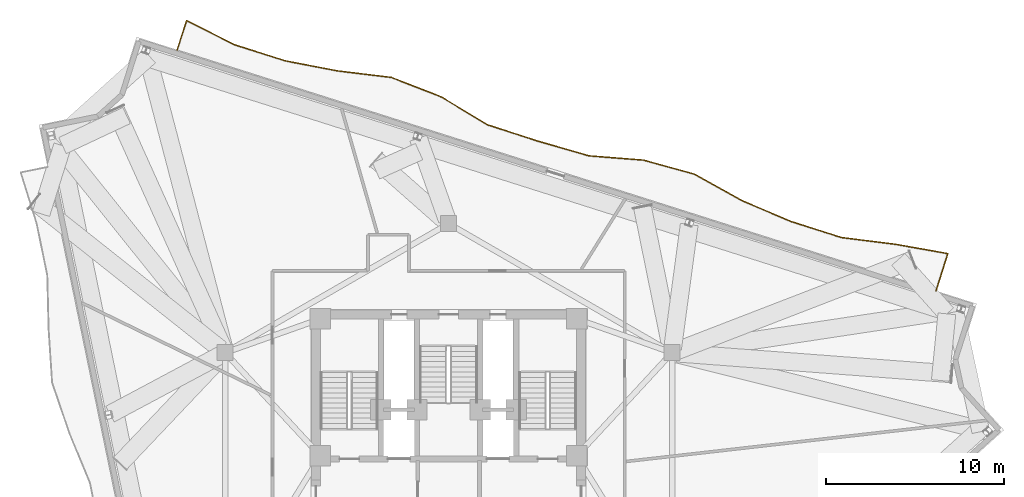
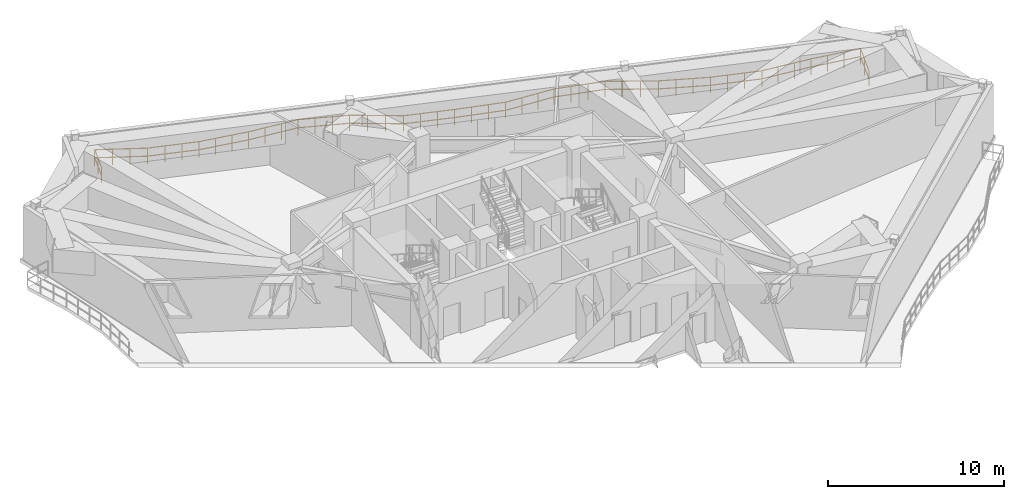
# One storey, part 12 of 12: 1 railing.
"""IFC4 building model written with IfcOpenShell, lengths in metres."""

from ifc_helpers import new_model, si_unit, direction, frame, origin, origin_2d, place, context, subcontext, project, spatial, rectangle, extrude, material, type_object, element, save


model = new_model("IFC4")

# Units and contexts
model_context = context("Model", 3, precision=1e-05, world=origin(), true_north=direction((0.0, 1.0)))
body_context = subcontext(model_context, "Body", "Model", "MODEL_VIEW")
ifc_project = project(units=[si_unit("LENGTHUNIT", "METRE"), si_unit("AREAUNIT", "SQUARE_METRE"), si_unit("VOLUMEUNIT", "CUBIC_METRE"), si_unit("PLANEANGLEUNIT", "RADIAN"), si_unit("MASSUNIT", "GRAM", prefix="KILO")], contexts=[model_context])

# Site, building, storey
site_placement = place(None, origin())
site = spatial("IfcSite", under=ifc_project, at=site_placement, CompositionType="ELEMENT")
building_placement = place(site_placement, origin())
building = spatial("IfcBuilding", under=site, at=building_placement, Name="Apsidion Concourse Tower", CompositionType="ELEMENT")
storey_placement = place(building_placement, frame((0.0, 0.0, 256.800048828125)))
storey = spatial("IfcBuildingStorey", under=building, at=storey_placement, Name="L60", CompositionType="ELEMENT", Elevation=256.800048828125)

# Railing
ifc_material = material(Name="Brushed stainless steel 316", Category="steel")
railing_type = type_object("IfcRailingType", Name="RL-BAL-1120", PredefinedType="BALUSTRADE", material=ifc_material)
railing_placement = place(storey_placement, frame((-15.25, 24.272216796875, 0.0)))
element("IfcRailing", 1, at=railing_placement, inside=storey, type_object=railing_type, Name="L60 Face 3 Rippling Balcony Balustrade", PredefinedType="BALUSTRADE", context=body_context, shape_type="SweptSolid", body=[
    extrude(rectangle(XDim=0.048095703125, YDim=0.048095703125, at=origin_2d()), frame((0.0, 0.0, 1.09619140625), z_axis=(0.302791862722, 0.953056707583, 0.0), x_axis=(-0.953056707583, 0.302791862722, 0.0)), (0.0, 0.0, 1.0), 1.737548828125),
    extrude(rectangle(XDim=0.048095703125, YDim=0.048095703125, at=origin_2d()), frame((0.0, 0.0, 0.5361328125), z_axis=(0.302791862722, 0.953056707583, 0.0), x_axis=(-0.953056707583, 0.302791862722, 0.0)), (0.0, 0.0, 1.0), 1.737548828125),
    extrude(rectangle(XDim=0.048095703125, YDim=0.048095703125, at=origin_2d()), frame((0.526123046875, 1.656005859375, 1.09619140625), z_axis=(0.89176205674, -0.452504623357, 0.0), x_axis=(0.452504623357, 0.89176205674, 0.0)), (0.0, 0.0, 1.0), 3.0224609375),
    extrude(rectangle(XDim=0.048095703125, YDim=0.048095703125, at=origin_2d()), frame((0.526123046875, 1.656005859375, 0.5361328125), z_axis=(0.89176205674, -0.452504623357, 0.0), x_axis=(0.452504623357, 0.89176205674, 0.0)), (0.0, 0.0, 1.0), 3.0224609375),
    extrude(rectangle(XDim=0.048095703125, YDim=0.048095703125, at=origin_2d()), frame((3.221435546875, 0.288330078125, 1.09619140625), z_axis=(0.953104034579, -0.302642857623, 0.0), x_axis=(0.302642857623, 0.953104034579, 0.0)), (0.0, 0.0, 1.0), 2.983154296875),
    extrude(rectangle(XDim=0.048095703125, YDim=0.048095703125, at=origin_2d()), frame((3.221435546875, 0.288330078125, 0.5361328125), z_axis=(0.953104034579, -0.302642857623, 0.0), x_axis=(0.302642857623, 0.953104034579, 0.0)), (0.0, 0.0, 1.0), 2.983154296875),
    extrude(rectangle(XDim=0.048095703125, YDim=0.048095703125, at=origin_2d()), frame((6.064697265625, -0.614501953125, 1.09619140625), z_axis=(0.98198034819, -0.188983056828, 0.0), x_axis=(0.188983056828, 0.98198034819, 0.0)), (0.0, 0.0, 1.0), 3.003662109375),
    extrude(rectangle(XDim=0.048095703125, YDim=0.048095703125, at=origin_2d()), frame((6.064697265625, -0.614501953125, 0.5361328125), z_axis=(0.98198034819, -0.188983056828, 0.0), x_axis=(0.188983056828, 0.98198034819, 0.0)), (0.0, 0.0, 1.0), 3.003662109375),
    extrude(rectangle(XDim=0.048095703125, YDim=0.048095703125, at=origin_2d()), frame((9.01416015625, -1.18212890625, 1.09619140625), z_axis=(0.992767218322, -0.120055196578, 0.0), x_axis=(0.120055196578, 0.992767218322, 0.0)), (0.0, 0.0, 1.0), 3.0361328125),
    extrude(rectangle(XDim=0.048095703125, YDim=0.048095703125, at=origin_2d()), frame((9.01416015625, -1.18212890625, 0.5361328125), z_axis=(0.992767218322, -0.120055196578, 0.0), x_axis=(0.120055196578, 0.992767218322, 0.0)), (0.0, 0.0, 1.0), 3.0361328125),
    extrude(rectangle(XDim=0.048095703125, YDim=0.048095703125, at=origin_2d()), frame((12.0283203125, -1.546630859375, 1.09619140625), z_axis=(0.932021531564, -0.362402903825, 0.0), x_axis=(0.362402903825, 0.932021531564, 0.0)), (0.0, 0.0, 1.0), 2.989013671875),
    extrude(rectangle(XDim=0.048095703125, YDim=0.048095703125, at=origin_2d()), frame((12.0283203125, -1.546630859375, 0.5361328125), z_axis=(0.932021531564, -0.362402903825, 0.0), x_axis=(0.362402903825, 0.932021531564, 0.0)), (0.0, 0.0, 1.0), 2.989013671875),
    extrude(rectangle(XDim=0.048095703125, YDim=0.048095703125, at=origin_2d()), frame((14.814208984375, -2.6298828125, 1.09619140625), z_axis=(0.856726347972, -0.515771232904, 0.0), x_axis=(0.515771232904, 0.856726347972, 0.0)), (0.0, 0.0, 1.0), 3.06689453125),
    extrude(rectangle(XDim=0.048095703125, YDim=0.048095703125, at=origin_2d()), frame((14.814208984375, -2.6298828125, 0.5361328125), z_axis=(0.856726347972, -0.515771232904, 0.0), x_axis=(0.515771232904, 0.856726347972, 0.0)), (0.0, 0.0, 1.0), 3.06689453125),
    extrude(rectangle(XDim=0.048095703125, YDim=0.048095703125, at=origin_2d()), frame((17.441650390625, -4.211669921875, 1.09619140625), z_axis=(0.951469191318, -0.307744013708, 0.0), x_axis=(0.307744013708, 0.951469191318, 0.0)), (0.0, 0.0, 1.0), 2.98291015625),
    extrude(rectangle(XDim=0.048095703125, YDim=0.048095703125, at=origin_2d()), frame((17.441650390625, -4.211669921875, 0.5361328125), z_axis=(0.951469191318, -0.307744013708, 0.0), x_axis=(0.307744013708, 0.951469191318, 0.0)), (0.0, 0.0, 1.0), 2.98291015625),
    extrude(rectangle(XDim=0.048095703125, YDim=0.048095703125, at=origin_2d()), frame((20.27978515625, -5.129638671875, 1.09619140625), z_axis=(0.960816887171, -0.277183890815, 0.0), x_axis=(0.277183890815, 0.960816887171, 0.0)), (0.0, 0.0, 1.0), 2.984130859375),
    extrude(rectangle(XDim=0.048095703125, YDim=0.048095703125, at=origin_2d()), frame((20.27978515625, -5.129638671875, 0.5361328125), z_axis=(0.960816887171, -0.277183890815, 0.0), x_axis=(0.277183890815, 0.960816887171, 0.0)), (0.0, 0.0, 1.0), 2.984130859375),
    extrude(rectangle(XDim=0.048095703125, YDim=0.048095703125, at=origin_2d()), frame((23.14697265625, -5.956787109375, 1.09619140625), z_axis=(0.996989442114, -0.07753742524, 0.0), x_axis=(0.07753742524, 0.996989442114, 0.0)), (0.0, 0.0, 1.0), 3.063720703125),
    extrude(rectangle(XDim=0.048095703125, YDim=0.048095703125, at=origin_2d()), frame((23.14697265625, -5.956787109375, 0.5361328125), z_axis=(0.996989442114, -0.07753742524, 0.0), x_axis=(0.07753742524, 0.996989442114, 0.0)), (0.0, 0.0, 1.0), 3.063720703125),
    extrude(rectangle(XDim=0.048095703125, YDim=0.048095703125, at=origin_2d()), frame((26.201416015625, -6.1943359375, 1.09619140625), z_axis=(0.963962971936, -0.266036442497, 0.0), x_axis=(0.266036442497, 0.963962971936, 0.0)), (0.0, 0.0, 1.0), 2.9853515625),
    extrude(rectangle(XDim=0.048095703125, YDim=0.048095703125, at=origin_2d()), frame((26.201416015625, -6.1943359375, 0.5361328125), z_axis=(0.963962971936, -0.266036442497, 0.0), x_axis=(0.266036442497, 0.963962971936, 0.0)), (0.0, 0.0, 1.0), 2.9853515625),
    extrude(rectangle(XDim=0.048095703125, YDim=0.048095703125, at=origin_2d()), frame((29.0791015625, -6.988525390625, 1.09619140625), z_axis=(0.873236585804, -0.487296485944, 0.0), x_axis=(0.487296485944, 0.873236585804, 0.0)), (0.0, 0.0, 1.0), 3.044677734375),
    extrude(rectangle(XDim=0.048095703125, YDim=0.048095703125, at=origin_2d()), frame((29.0791015625, -6.988525390625, 0.5361328125), z_axis=(0.873236585804, -0.487296485944, 0.0), x_axis=(0.487296485944, 0.873236585804, 0.0)), (0.0, 0.0, 1.0), 3.044677734375),
    extrude(rectangle(XDim=0.048095703125, YDim=0.048095703125, at=origin_2d()), frame((31.73779296875, -8.47216796875, 1.09619140625), z_axis=(0.92027077655, -0.391282120506, 0.0), x_axis=(0.391282120506, 0.92027077655, 0.0)), (0.0, 0.0, 1.0), 2.99609375),
    extrude(rectangle(XDim=0.048095703125, YDim=0.048095703125, at=origin_2d()), frame((31.73779296875, -8.47216796875, 0.5361328125), z_axis=(0.92027077655, -0.391282120506, 0.0), x_axis=(0.391282120506, 0.92027077655, 0.0)), (0.0, 0.0, 1.0), 2.99609375),
    extrude(rectangle(XDim=0.048095703125, YDim=0.048095703125, at=origin_2d()), frame((34.4951171875, -9.64453125, 1.09619140625), z_axis=(0.95308042562, -0.302717198555, 0.0), x_axis=(0.302717198555, 0.95308042562, 0.0)), (0.0, 0.0, 1.0), 2.983154296875),
    extrude(rectangle(XDim=0.048095703125, YDim=0.048095703125, at=origin_2d()), frame((34.4951171875, -9.64453125, 0.5361328125), z_axis=(0.95308042562, -0.302717198555, 0.0), x_axis=(0.302717198555, 0.95308042562, 0.0)), (0.0, 0.0, 1.0), 2.983154296875),
    extrude(rectangle(XDim=0.048095703125, YDim=0.048095703125, at=origin_2d()), frame((37.33837890625, -10.547607421875, 1.09619140625), z_axis=(0.992290252957, -0.123935684473, 0.0), x_axis=(0.123935684473, 0.992290252957, 0.0)), (0.0, 0.0, 1.0), 3.03369140625),
    extrude(rectangle(XDim=0.048095703125, YDim=0.048095703125, at=origin_2d()), frame((37.33837890625, -10.547607421875, 0.5361328125), z_axis=(0.992290252957, -0.123935684473, 0.0), x_axis=(0.123935684473, 0.992290252957, 0.0)), (0.0, 0.0, 1.0), 3.03369140625),
    extrude(rectangle(XDim=0.048095703125, YDim=0.048095703125, at=origin_2d()), frame((40.3486328125, -10.923583984375, 1.09619140625), z_axis=(0.984700142414, -0.174257365786, 0.0), x_axis=(0.174257365786, 0.984700142414, 0.0)), (0.0, 0.0, 1.0), 3.009521484375),
    extrude(rectangle(XDim=0.048095703125, YDim=0.048095703125, at=origin_2d()), frame((40.3486328125, -10.923583984375, 0.5361328125), z_axis=(0.984700142414, -0.174257365786, 0.0), x_axis=(0.174257365786, 0.984700142414, 0.0)), (0.0, 0.0, 1.0), 3.009521484375),
    extrude(rectangle(XDim=0.048095703125, YDim=0.048095703125, at=origin_2d()), frame((43.31201171875, -11.447998046875, 1.09619140625), z_axis=(-0.302713537464, -0.953081588447, 0.0), x_axis=(0.953081588447, -0.302713537464, 0.0)), (0.0, 0.0, 1.0), 2.2001953125),
    extrude(rectangle(XDim=0.048095703125, YDim=0.048095703125, at=origin_2d()), frame((43.31201171875, -11.447998046875, 0.5361328125), z_axis=(-0.302713537464, -0.953081588447, 0.0), x_axis=(0.953081588447, -0.302713537464, 0.0)), (0.0, 0.0, 1.0), 2.2001953125),
    extrude(rectangle(XDim=0.0419921875, YDim=0.0419921875, at=origin_2d()), origin(), (0.0, 0.0, 1.0), 1.072021484375),
    extrude(rectangle(XDim=0.0419921875, YDim=0.0419921875, at=origin_2d()), frame((0.26318359375, 0.828125, 0.0)), (0.0, 0.0, 1.0), 1.072021484375),
    extrude(rectangle(XDim=0.0419921875, YDim=0.0419921875, at=origin_2d()), frame((0.526123046875, 1.656005859375, 0.0)), (0.0, 0.0, 1.0), 1.072021484375),
    extrude(rectangle(XDim=0.0419921875, YDim=0.0419921875, at=origin_2d()), frame((1.424560546875, 1.2001953125, 0.0)), (0.0, 0.0, 1.0), 1.072021484375),
    extrude(rectangle(XDim=0.0419921875, YDim=0.0419921875, at=origin_2d()), frame((2.322998046875, 0.744140625, 0.0)), (0.0, 0.0, 1.0), 1.072021484375),
    extrude(rectangle(XDim=0.0419921875, YDim=0.0419921875, at=origin_2d()), frame((3.221435546875, 0.288330078125, 0.0)), (0.0, 0.0, 1.0), 1.072021484375),
    extrude(rectangle(XDim=0.0419921875, YDim=0.0419921875, at=origin_2d()), frame((4.169189453125, -0.0126953125, 0.0)), (0.0, 0.0, 1.0), 1.072021484375),
    extrude(rectangle(XDim=0.0419921875, YDim=0.0419921875, at=origin_2d()), frame((5.116943359375, -0.3134765625, 0.0)), (0.0, 0.0, 1.0), 1.072021484375),
    extrude(rectangle(XDim=0.0419921875, YDim=0.0419921875, at=origin_2d()), frame((6.064697265625, -0.614501953125, 0.0)), (0.0, 0.0, 1.0), 1.072021484375),
    extrude(rectangle(XDim=0.0419921875, YDim=0.0419921875, at=origin_2d()), frame((7.0478515625, -0.8037109375, 0.0)), (0.0, 0.0, 1.0), 1.072021484375),
    extrude(rectangle(XDim=0.0419921875, YDim=0.0419921875, at=origin_2d()), frame((8.031005859375, -0.992919921875, 0.0)), (0.0, 0.0, 1.0), 1.072021484375),
    extrude(rectangle(XDim=0.0419921875, YDim=0.0419921875, at=origin_2d()), frame((9.01416015625, -1.18212890625, 0.0)), (0.0, 0.0, 1.0), 1.072021484375),
    extrude(rectangle(XDim=0.0419921875, YDim=0.0419921875, at=origin_2d()), frame((10.018798828125, -1.3037109375, 0.0)), (0.0, 0.0, 1.0), 1.072021484375),
    extrude(rectangle(XDim=0.0419921875, YDim=0.0419921875, at=origin_2d()), frame((11.023681640625, -1.425048828125, 0.0)), (0.0, 0.0, 1.0), 1.072021484375),
    extrude(rectangle(XDim=0.0419921875, YDim=0.0419921875, at=origin_2d()), frame((12.0283203125, -1.546630859375, 0.0)), (0.0, 0.0, 1.0), 1.072021484375),
    extrude(rectangle(XDim=0.0419921875, YDim=0.0419921875, at=origin_2d()), frame((12.95703125, -1.90771484375, 0.0)), (0.0, 0.0, 1.0), 1.072021484375),
    extrude(rectangle(XDim=0.0419921875, YDim=0.0419921875, at=origin_2d()), frame((13.885498046875, -2.268798828125, 0.0)), (0.0, 0.0, 1.0), 1.072021484375),
    extrude(rectangle(XDim=0.0419921875, YDim=0.0419921875, at=origin_2d()), frame((14.814208984375, -2.6298828125, 0.0)), (0.0, 0.0, 1.0), 1.072021484375),
    extrude(rectangle(XDim=0.0419921875, YDim=0.0419921875, at=origin_2d()), frame((15.68994140625, -3.1572265625, 0.0)), (0.0, 0.0, 1.0), 1.072021484375),
    extrude(rectangle(XDim=0.0419921875, YDim=0.0419921875, at=origin_2d()), frame((16.56591796875, -3.684326171875, 0.0)), (0.0, 0.0, 1.0), 1.072021484375),
    extrude(rectangle(XDim=0.0419921875, YDim=0.0419921875, at=origin_2d()), frame((17.441650390625, -4.211669921875, 0.0)), (0.0, 0.0, 1.0), 1.072021484375),
    extrude(rectangle(XDim=0.0419921875, YDim=0.0419921875, at=origin_2d()), frame((18.3876953125, -4.517578125, 0.0)), (0.0, 0.0, 1.0), 1.072021484375),
    extrude(rectangle(XDim=0.0419921875, YDim=0.0419921875, at=origin_2d()), frame((19.333740234375, -4.82373046875, 0.0)), (0.0, 0.0, 1.0), 1.072021484375),
    extrude(rectangle(XDim=0.0419921875, YDim=0.0419921875, at=origin_2d()), frame((20.27978515625, -5.129638671875, 0.0)), (0.0, 0.0, 1.0), 1.072021484375),
    extrude(rectangle(XDim=0.0419921875, YDim=0.0419921875, at=origin_2d()), frame((21.235595703125, -5.4052734375, 0.0)), (0.0, 0.0, 1.0), 1.072021484375),
    extrude(rectangle(XDim=0.0419921875, YDim=0.0419921875, at=origin_2d()), frame((22.191162109375, -5.68115234375, 0.0)), (0.0, 0.0, 1.0), 1.072021484375),
    extrude(rectangle(XDim=0.0419921875, YDim=0.0419921875, at=origin_2d()), frame((23.14697265625, -5.956787109375, 0.0)), (0.0, 0.0, 1.0), 1.072021484375),
    extrude(rectangle(XDim=0.0419921875, YDim=0.0419921875, at=origin_2d()), frame((24.1650390625, -6.035888671875, 0.0)), (0.0, 0.0, 1.0), 1.072021484375),
    extrude(rectangle(XDim=0.0419921875, YDim=0.0419921875, at=origin_2d()), frame((25.183349609375, -6.115234375, 0.0)), (0.0, 0.0, 1.0), 1.072021484375),
    extrude(rectangle(XDim=0.0419921875, YDim=0.0419921875, at=origin_2d()), frame((26.201416015625, -6.1943359375, 0.0)), (0.0, 0.0, 1.0), 1.072021484375),
    extrude(rectangle(XDim=0.0419921875, YDim=0.0419921875, at=origin_2d()), frame((27.16064453125, -6.458984375, 0.0)), (0.0, 0.0, 1.0), 1.072021484375),
    extrude(rectangle(XDim=0.0419921875, YDim=0.0419921875, at=origin_2d()), frame((28.119873046875, -6.723876953125, 0.0)), (0.0, 0.0, 1.0), 1.072021484375),
    extrude(rectangle(XDim=0.0419921875, YDim=0.0419921875, at=origin_2d()), frame((29.0791015625, -6.988525390625, 0.0)), (0.0, 0.0, 1.0), 1.072021484375),
    extrude(rectangle(XDim=0.0419921875, YDim=0.0419921875, at=origin_2d()), frame((29.96533203125, -7.483154296875, 0.0)), (0.0, 0.0, 1.0), 1.072021484375),
    extrude(rectangle(XDim=0.0419921875, YDim=0.0419921875, at=origin_2d()), frame((30.8515625, -7.9775390625, 0.0)), (0.0, 0.0, 1.0), 1.072021484375),
    extrude(rectangle(XDim=0.0419921875, YDim=0.0419921875, at=origin_2d()), frame((31.73779296875, -8.47216796875, 0.0)), (0.0, 0.0, 1.0), 1.072021484375),
    extrude(rectangle(XDim=0.0419921875, YDim=0.0419921875, at=origin_2d()), frame((32.656982421875, -8.863037109375, 0.0)), (0.0, 0.0, 1.0), 1.072021484375),
    extrude(rectangle(XDim=0.0419921875, YDim=0.0419921875, at=origin_2d()), frame((33.575927734375, -9.253662109375, 0.0)), (0.0, 0.0, 1.0), 1.072021484375),
    extrude(rectangle(XDim=0.0419921875, YDim=0.0419921875, at=origin_2d()), frame((34.4951171875, -9.64453125, 0.0)), (0.0, 0.0, 1.0), 1.072021484375),
    extrude(rectangle(XDim=0.0419921875, YDim=0.0419921875, at=origin_2d()), frame((35.44287109375, -9.945556640625, 0.0)), (0.0, 0.0, 1.0), 1.072021484375),
    extrude(rectangle(XDim=0.0419921875, YDim=0.0419921875, at=origin_2d()), frame((36.390625, -10.24658203125, 0.0)), (0.0, 0.0, 1.0), 1.072021484375),
    extrude(rectangle(XDim=0.0419921875, YDim=0.0419921875, at=origin_2d()), frame((37.33837890625, -10.547607421875, 0.0)), (0.0, 0.0, 1.0), 1.072021484375),
    extrude(rectangle(XDim=0.0419921875, YDim=0.0419921875, at=origin_2d()), frame((38.341796875, -10.6728515625, 0.0)), (0.0, 0.0, 1.0), 1.072021484375),
    extrude(rectangle(XDim=0.0419921875, YDim=0.0419921875, at=origin_2d()), frame((39.34521484375, -10.79833984375, 0.0)), (0.0, 0.0, 1.0), 1.072021484375),
    extrude(rectangle(XDim=0.0419921875, YDim=0.0419921875, at=origin_2d()), frame((40.3486328125, -10.923583984375, 0.0)), (0.0, 0.0, 1.0), 1.072021484375),
    extrude(rectangle(XDim=0.0419921875, YDim=0.0419921875, at=origin_2d()), frame((41.33642578125, -11.098388671875, 0.0)), (0.0, 0.0, 1.0), 1.072021484375),
    extrude(rectangle(XDim=0.0419921875, YDim=0.0419921875, at=origin_2d()), frame((42.32421875, -11.273193359375, 0.0)), (0.0, 0.0, 1.0), 1.072021484375),
    extrude(rectangle(XDim=0.0419921875, YDim=0.0419921875, at=origin_2d()), frame((43.31201171875, -11.447998046875, 0.0)), (0.0, 0.0, 1.0), 1.072021484375),
    extrude(rectangle(XDim=0.0419921875, YDim=0.0419921875, at=origin_2d()), frame((42.97900390625, -12.49658203125, 0.0)), (0.0, 0.0, 1.0), 1.072021484375),
    extrude(rectangle(XDim=0.0419921875, YDim=0.0419921875, at=origin_2d()), frame((42.64599609375, -13.544921875, 0.0)), (0.0, 0.0, 1.0), 1.072021484375),
])

save(model, "model.ifc")
